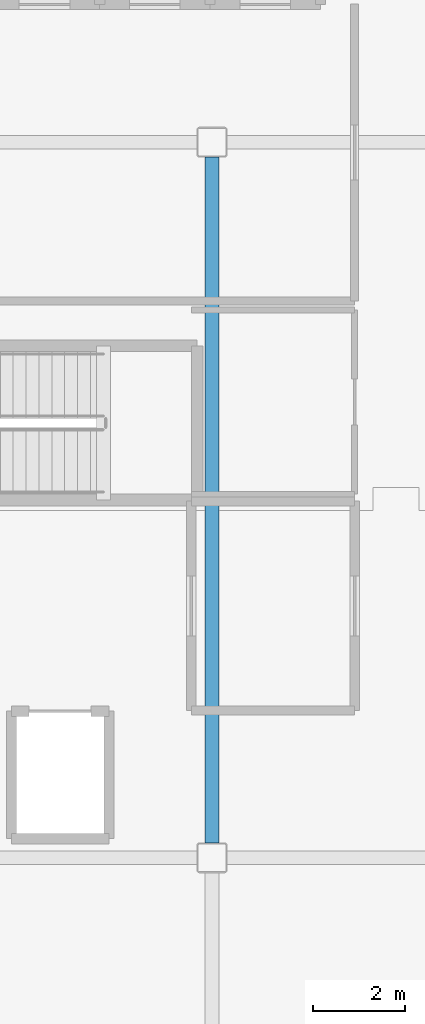
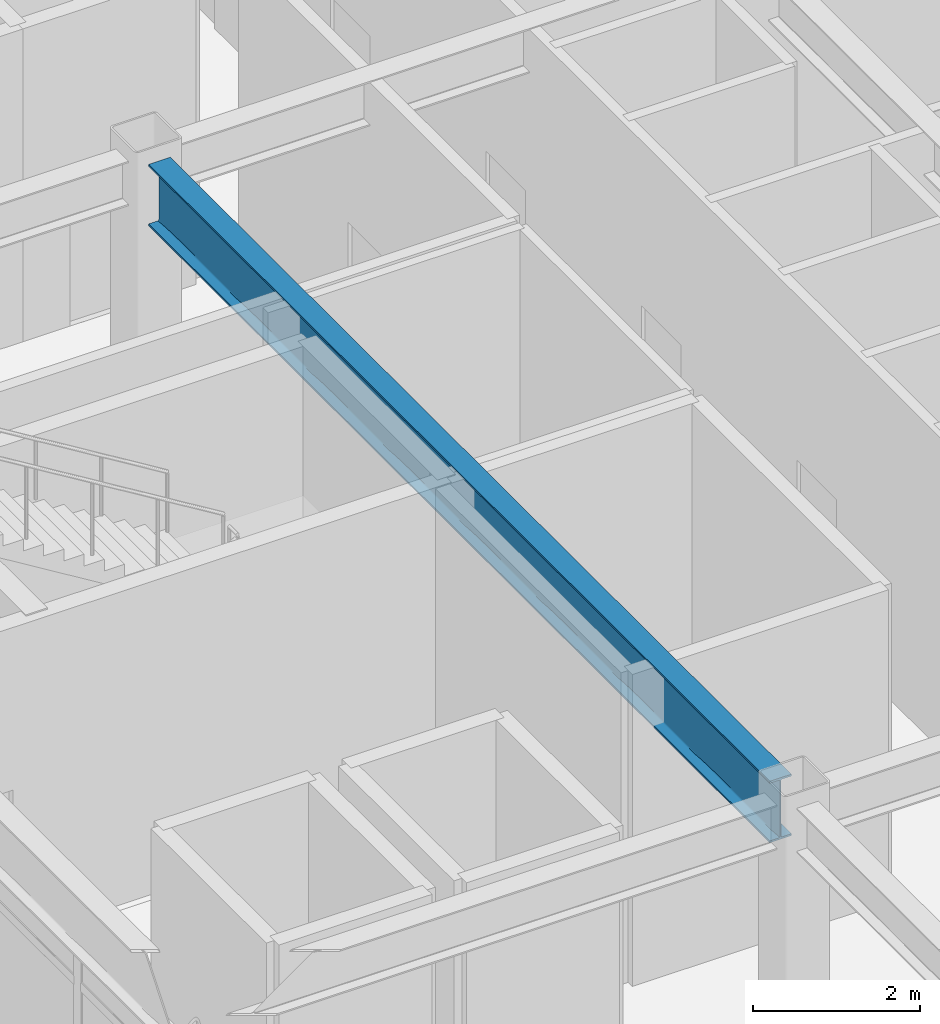
# One storey, part 28 of 61: 1 beam.
"""IFC4 building model written with IfcOpenShell, lengths in metres."""

from ifc_helpers import new_model, si_unit, direction, frame, origin, origin_2d, place, context, subcontext, project, spatial, i_section, extrude, material, material_profile, profile_set, type_object, element, save


model = new_model("IFC4")

# Units and contexts
model_context = context("Model", 3, precision=1e-05, world=origin(), true_north=direction((0.0, 1.0)))
body_context = subcontext(model_context, "Body", "Model", "MODEL_VIEW")
ifc_project = project(units=[si_unit("LENGTHUNIT", "METRE"), si_unit("AREAUNIT", "SQUARE_METRE"), si_unit("VOLUMEUNIT", "CUBIC_METRE"), si_unit("PLANEANGLEUNIT", "RADIAN"), si_unit("MASSUNIT", "GRAM", prefix="KILO")], contexts=[model_context])

# Site, building, storey
site_placement = place(None, origin())
site = spatial("IfcSite", under=ifc_project, at=site_placement, CompositionType="ELEMENT")
building_placement = place(site_placement, origin())
building = spatial("IfcBuilding", under=site, at=building_placement, Name="Kazehara Bluff Congress Hotel", CompositionType="ELEMENT")
storey_placement = place(building_placement, frame((0.0, 0.0, 19.800048828125)))
storey = spatial("IfcBuildingStorey", under=building, at=storey_placement, Name="L04", CompositionType="ELEMENT", Elevation=19.800048828125)

# Beam
ifc_material = material(Name="Steel SN490B", Category="steel")
ifc_material_profile = material_profile(ifc_material, i_section(OverallWidth=0.300048828125, OverallDepth=0.89990234375, WebThickness=0.01611328125, FlangeThickness=0.028076171875, FilletRadius=0.01806640625, at=origin_2d()))
ifc_profile_set = profile_set([ifc_material_profile], Name="Steel SN490B")
beam_type = type_object("IfcBeamType", Name="TP-G-08", PredefinedType="BEAM", material=ifc_profile_set)
beam_placement = place(storey_placement, frame((152.10009765625, 41.22509765625, 4.1298828125), z_axis=(0.0, 1.0, 0.0), x_axis=(-1.0, 0.0, 0.0)))
element("IfcBeam", 1, at=beam_placement, inside=storey, type_object=beam_type, Name="L04 girder G-08 49", PredefinedType="BEAM", context=body_context, shape_type="SweptSolid", body=[
    extrude(i_section(OverallWidth=0.300048828125, OverallDepth=0.89990234375, WebThickness=0.01611328125, FlangeThickness=0.028076171875, FilletRadius=0.01806640625, at=origin_2d()), origin(), (0.0, 0.0, 1.0), 14.89990234375),
])

save(model, "model.ifc")
